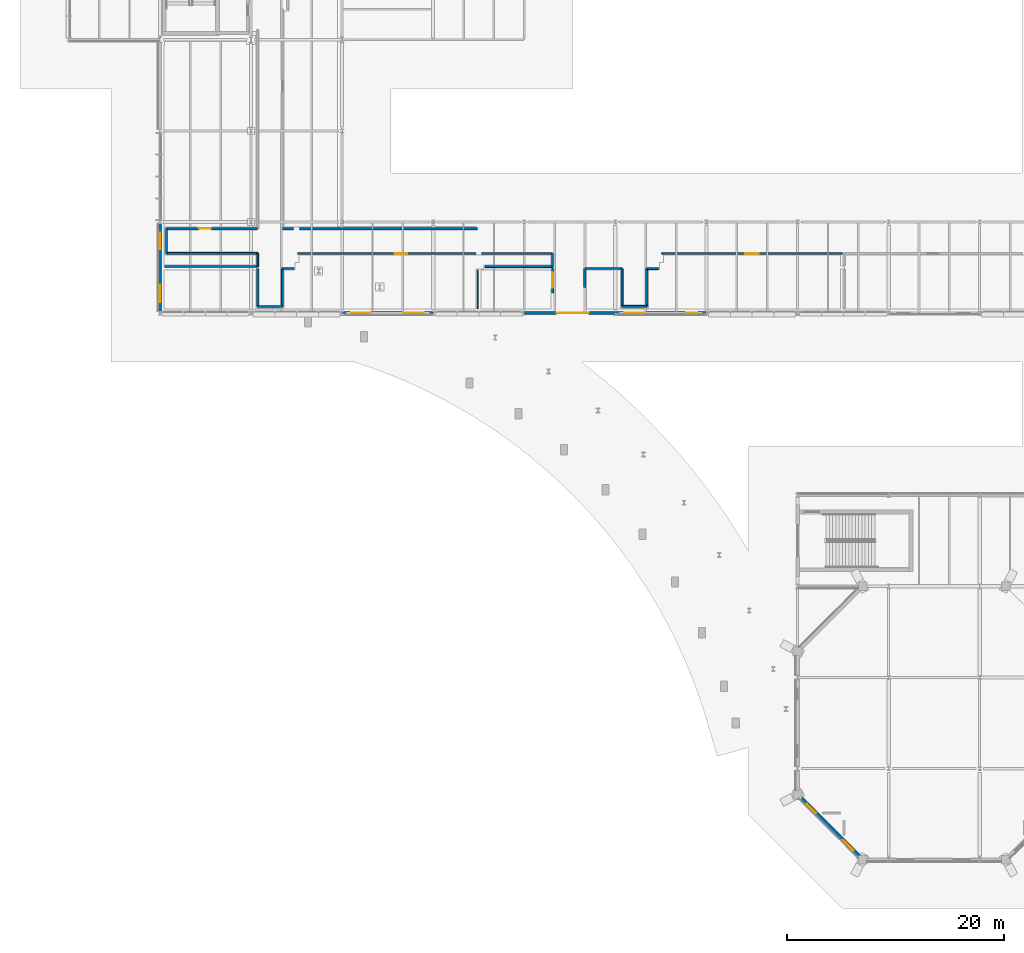
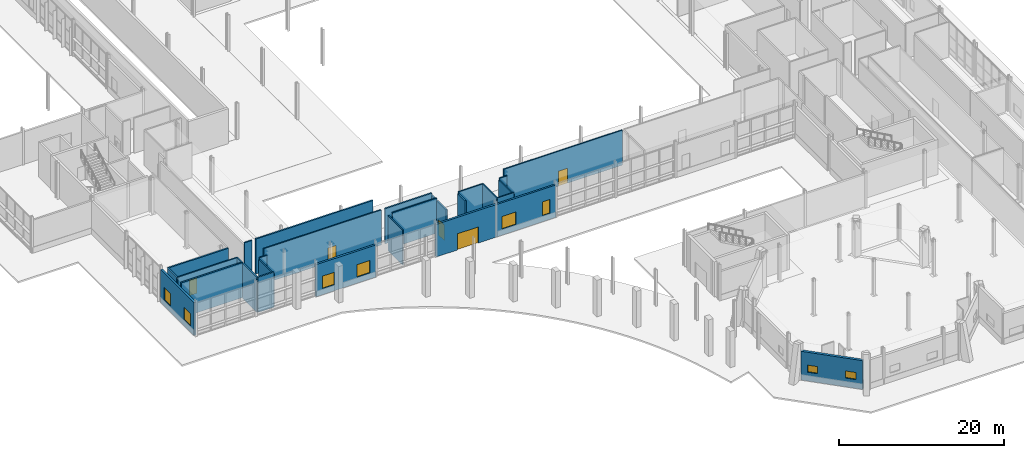
# One storey, part 83 of 124: 29 walls, 8 windows, 5 doors, 13 openings.
"""IFC4 building model written with IfcOpenShell, lengths in metres."""

from ifc_helpers import new_model, si_unit, direction, frame, frame_2d, origin, place, context, subcontext, project, spatial, rectangle, extrude, material, layer, layer_set, type_object, element, fill, save


model = new_model("IFC4")

# Units and contexts
model_context = context("Model", 3, precision=1e-05, world=origin(), true_north=direction((0.0, 1.0)))
body_context = subcontext(model_context, "Body", "Model", "MODEL_VIEW")
ifc_project = project(units=[si_unit("LENGTHUNIT", "METRE"), si_unit("AREAUNIT", "SQUARE_METRE"), si_unit("VOLUMEUNIT", "CUBIC_METRE"), si_unit("PLANEANGLEUNIT", "RADIAN"), si_unit("MASSUNIT", "GRAM", prefix="KILO")], contexts=[model_context])

# Site, building, storey
site_placement = place(None, origin())
site = spatial("IfcSite", under=ifc_project, at=site_placement, CompositionType="ELEMENT")
building_placement = place(site_placement, origin())
building = spatial("IfcBuilding", under=site, at=building_placement, Name="Mersafa Astral City Hall", CompositionType="ELEMENT")
storey_placement = place(building_placement, origin())
storey = spatial("IfcBuildingStorey", under=building, at=storey_placement, Name="L00", CompositionType="ELEMENT", Elevation=0.0)

# Wall, openings, windows
ifc_material_1 = material(Name="Concrete C40/50", Category="concrete")
ifc_layer_1 = layer(ifc_material_1, 0.340087890625, Name="Concrete C40/50")
ifc_layer_set_1 = layer_set([ifc_layer_1], Name="Concrete C40/50 — ENV-WAL-DRUM-340")
wall_type_1 = type_object("IfcWallType", Name="ENV-WAL-DRUM-340", PredefinedType="SHEAR", material=ifc_layer_set_1)
wall_1_placement = place(storey_placement, frame((67.45458984375, 5.745361328125, 0.0), z_axis=(0.0, 0.0, 1.0), x_axis=(0.707106781187, -0.707106781187, 0.0)))
wall_1 = element("IfcWall", 1, at=wall_1_placement, inside=storey, type_object=wall_type_1, Name="L00 Limestone-clad exterior wall 6", PredefinedType="SHEAR", context=body_context, shape_type="SweptSolid", body=[
    extrude(rectangle(XDim=7.76513671875, YDim=0.340087890625, at=frame_2d((3.882568359375, 0.0))), origin(), (0.0, 0.0, 1.0), 4.257080078125),
])
opening_1_placement = place(wall_1_placement, frame((0.85009765625, 0.0, 1.300048828125)))
opening_1 = element("IfcOpeningElement", 2, at=opening_1_placement, cuts=wall_1, Name="Opening W-03", PredefinedType="OPENING", context=body_context, shape_type="SweptSolid", body=[
    extrude(rectangle(XDim=1.219970703125, YDim=1.050048828125, at=frame_2d((0.60986328125, 0.52490234375))), frame((0.0, 0.179931640625, 0.0), z_axis=(0.0, -1.0, 0.0), x_axis=(1.0, 0.0, 0.0)), (0.0, 0.0, 1.0), 0.360107421875),
])
opening_2_placement = place(wall_1_placement, frame((5.59521484375, 0.0, 1.300048828125)))
opening_2 = element("IfcOpeningElement", 3, at=opening_2_placement, cuts=wall_1, Name="Opening W-04", PredefinedType="OPENING", context=body_context, shape_type="SweptSolid", body=[
    extrude(rectangle(XDim=1.320068359375, YDim=1.050048828125, at=frame_2d((0.66015625, 0.52490234375))), frame((0.0, 0.179931640625, 0.0), z_axis=(0.0, -1.0, 0.0), x_axis=(1.0, 0.0, 0.0)), (0.0, 0.0, 1.0), 0.360107421875),
])
ifc_material_2 = material(Name="Solar control low-e double glazing in bronze frame", Category="glass")
window_type_1 = type_object("IfcWindowType", Name="ENV-WIN-W-03", PartitioningType="SINGLE_PANEL", PredefinedType="WINDOW", material=ifc_material_2)
window_1_placement = place(opening_1_placement, origin())
window_1 = element("IfcWindow", 4, at=window_1_placement, inside=storey, type_object=window_type_1, Name="L00 Solar punched window 6-L", OverallHeight=1.050048828125, OverallWidth=1.219970703125, PartitioningType="SINGLE_PANEL", PredefinedType="WINDOW", context=body_context, shape_type="SweptSolid", body=[
    extrude(rectangle(XDim=1.219970703125, YDim=1.050048828125, at=frame_2d((0.60986328125, 0.52490234375))), frame((0.0, 0.030029296875, 0.0), z_axis=(0.0, -1.0, 0.0), x_axis=(1.0, 0.0, 0.0)), (0.0, 0.0, 1.0), 0.06005859375),
])
fill(opening_1, window_1)
window_type_2 = type_object("IfcWindowType", Name="ENV-WIN-W-04", PartitioningType="SINGLE_PANEL", PredefinedType="WINDOW", material=ifc_material_2)
window_2_placement = place(opening_2_placement, origin())
window_2 = element("IfcWindow", 5, at=window_2_placement, inside=storey, type_object=window_type_2, Name="L00 Solar punched window 6-R", OverallHeight=1.050048828125, OverallWidth=1.320068359375, PartitioningType="SINGLE_PANEL", PredefinedType="WINDOW", context=body_context, shape_type="SweptSolid", body=[
    extrude(rectangle(XDim=1.320068359375, YDim=1.050048828125, at=frame_2d((0.66015625, 0.52490234375))), frame((0.0, 0.030029296875, 0.0), z_axis=(0.0, -1.0, 0.0), x_axis=(1.0, 0.0, 0.0)), (0.0, 0.0, 1.0), 0.06005859375),
])
fill(opening_2, window_2)

ifc_material_3 = material(Name="Precast concrete C40/50 insulated terracotta spandrel", Category="masonry")
ifc_layer_2 = layer(ifc_material_3, 0.25, Name="Precast concrete C40/50 insulated terracotta spandrel")
ifc_layer_set_2 = layer_set([ifc_layer_2], Name="Precast concrete C40/50 insulated terracotta spandrel — ENV-WAL-EXT-250")
wall_type_2 = type_object("IfcWallType", Name="ENV-WAL-EXT-250", PredefinedType="STANDARD", material=ifc_layer_set_2)
wall_2_placement = place(storey_placement, frame((50.407958984375, 50.39990234375, 0.0), z_axis=(0.0, 0.0, 1.0), x_axis=(1.0, 0.0, 0.0)))
wall_2 = element("IfcWall", 6, at=wall_2_placement, inside=storey, type_object=wall_type_2, Name="L00 Limestone-clad exterior wall 64", PredefinedType="STANDARD", context=body_context, shape_type="SweptSolid", body=[
    extrude(rectangle(XDim=8.384033203125, YDim=0.25, at=frame_2d((4.19189453125, 0.0))), origin(), (0.0, 0.0, 1.0), 4.797119140625),
])
opening_3_placement = place(wall_2_placement, frame((0.85009765625, 0.0, 0.89990234375)))
opening_3 = element("IfcOpeningElement", 7, at=opening_3_placement, cuts=wall_2, Name="Opening W-50", PredefinedType="OPENING", context=body_context, shape_type="SweptSolid", body=[
    extrude(rectangle(XDim=1.919921875, YDim=1.85009765625, at=frame_2d((0.9599609375, 0.925048828125))), frame((0.0, 0.135009765625, 0.0), z_axis=(0.0, -1.0, 0.0), x_axis=(1.0, 0.0, 0.0)), (0.0, 0.0, 1.0), 0.27001953125),
])
opening_4_placement = place(wall_2_placement, frame((6.513916015625, 0.0, 0.89990234375)))
opening_4 = element("IfcOpeningElement", 8, at=opening_4_placement, cuts=wall_2, Name="Opening W-51", PredefinedType="OPENING", context=body_context, shape_type="SweptSolid", body=[
    extrude(rectangle(XDim=1.02001953125, YDim=2.050048828125, at=frame_2d((0.510009765625, 1.02490234375))), frame((0.0, 0.135009765625, 0.0), z_axis=(0.0, -1.0, 0.0), x_axis=(1.0, 0.0, 0.0)), (0.0, 0.0, 1.0), 0.27001953125),
])
window_type_3 = type_object("IfcWindowType", Name="ENV-WIN-W-50", PartitioningType="SINGLE_PANEL", PredefinedType="WINDOW", material=ifc_material_2)
window_3_placement = place(opening_3_placement, origin())
window_3 = element("IfcWindow", 9, at=window_3_placement, inside=storey, type_object=window_type_3, Name="L00 Solar punched window 64-L", OverallHeight=1.85009765625, OverallWidth=1.919921875, PartitioningType="SINGLE_PANEL", PredefinedType="WINDOW", context=body_context, shape_type="SweptSolid", body=[
    extrude(rectangle(XDim=1.919921875, YDim=1.85009765625, at=frame_2d((0.9599609375, 0.925048828125))), frame((0.0, 0.030029296875, 0.0), z_axis=(0.0, -1.0, 0.0), x_axis=(1.0, 0.0, 0.0)), (0.0, 0.0, 1.0), 0.06005859375),
])
fill(opening_3, window_3)
window_type_4 = type_object("IfcWindowType", Name="ENV-WIN-W-51", PartitioningType="SINGLE_PANEL", PredefinedType="WINDOW", material=ifc_material_2)
window_4_placement = place(opening_4_placement, origin())
window_4 = element("IfcWindow", 10, at=window_4_placement, inside=storey, type_object=window_type_4, Name="L00 Solar punched window 64-R", OverallHeight=2.050048828125, OverallWidth=1.02001953125, PartitioningType="SINGLE_PANEL", PredefinedType="WINDOW", context=body_context, shape_type="SweptSolid", body=[
    extrude(rectangle(XDim=1.02001953125, YDim=2.050048828125, at=frame_2d((0.510009765625, 1.02490234375))), frame((0.0, 0.030029296875, 0.0), z_axis=(0.0, -1.0, 0.0), x_axis=(1.0, 0.0, 0.0)), (0.0, 0.0, 1.0), 0.06005859375),
])
fill(opening_4, window_4)

ifc_material_4 = material(Name="Precast concrete C40/50 insulated limestone wall", Category="masonry")
ifc_layer_3 = layer(ifc_material_4, 0.280029296875, Name="Precast concrete C40/50 insulated limestone wall")
ifc_layer_set_3 = layer_set([ifc_layer_3], Name="Precast concrete C40/50 insulated limestone wall — ENV-WAL-EXT-280")
wall_type_3 = type_object("IfcWallType", Name="ENV-WAL-EXT-280", PredefinedType="STANDARD", material=ifc_layer_set_3)
wall_3_placement = place(storey_placement, frame((25.2080078125, 50.39990234375, 0.0), z_axis=(0.0, 0.0, 1.0), x_axis=(1.0, 0.0, 0.0)))
wall_3 = element("IfcWall", 11, at=wall_3_placement, inside=storey, type_object=wall_type_3, Name="L00 Limestone-clad exterior wall 62", PredefinedType="STANDARD", context=body_context, shape_type="SweptSolid", body=[
    extrude(rectangle(XDim=8.384033203125, YDim=0.280029296875, at=frame_2d((4.19189453125, 0.0))), origin(), (0.0, 0.0, 1.0), 4.751953125),
])
opening_5_placement = place(wall_3_placement, frame((0.85009765625, 0.0, 0.89990234375)))
opening_5 = element("IfcOpeningElement", 12, at=opening_5_placement, cuts=wall_3, Name="Opening W-48", PredefinedType="OPENING", context=body_context, shape_type="SweptSolid", body=[
    extrude(rectangle(XDim=1.719970703125, YDim=1.85009765625, at=frame_2d((0.85986328125, 0.925048828125))), frame((0.0, 0.14990234375, 0.0), z_axis=(0.0, -1.0, 0.0), x_axis=(1.0, 0.0, 0.0)), (0.0, 0.0, 1.0), 0.300048828125),
])
opening_6_placement = place(wall_3_placement, frame((5.714111328125, 0.0, 0.89990234375)))
opening_6 = element("IfcOpeningElement", 13, at=opening_6_placement, cuts=wall_3, Name="Opening W-49", PredefinedType="OPENING", context=body_context, shape_type="SweptSolid", body=[
    extrude(rectangle(XDim=1.820068359375, YDim=1.85009765625, at=frame_2d((0.91015625, 0.925048828125))), frame((0.0, 0.14990234375, 0.0), z_axis=(0.0, -1.0, 0.0), x_axis=(1.0, 0.0, 0.0)), (0.0, 0.0, 1.0), 0.300048828125),
])
window_type_5 = type_object("IfcWindowType", Name="ENV-WIN-W-48", PartitioningType="SINGLE_PANEL", PredefinedType="WINDOW", material=ifc_material_2)
window_5_placement = place(opening_5_placement, origin())
window_5 = element("IfcWindow", 14, at=window_5_placement, inside=storey, type_object=window_type_5, Name="L00 Solar punched window 62-L", OverallHeight=1.85009765625, OverallWidth=1.719970703125, PartitioningType="SINGLE_PANEL", PredefinedType="WINDOW", context=body_context, shape_type="SweptSolid", body=[
    extrude(rectangle(XDim=1.719970703125, YDim=1.85009765625, at=frame_2d((0.85986328125, 0.925048828125))), frame((0.0, 0.030029296875, 0.0), z_axis=(0.0, -1.0, 0.0), x_axis=(1.0, 0.0, 0.0)), (0.0, 0.0, 1.0), 0.06005859375),
])
fill(opening_5, window_5)
window_type_6 = type_object("IfcWindowType", Name="ENV-WIN-W-49", PartitioningType="SINGLE_PANEL", PredefinedType="WINDOW", material=ifc_material_2)
window_6_placement = place(opening_6_placement, origin())
window_6 = element("IfcWindow", 15, at=window_6_placement, inside=storey, type_object=window_type_6, Name="L00 Solar punched window 62-R", OverallHeight=1.85009765625, OverallWidth=1.820068359375, PartitioningType="SINGLE_PANEL", PredefinedType="WINDOW", context=body_context, shape_type="SweptSolid", body=[
    extrude(rectangle(XDim=1.820068359375, YDim=1.85009765625, at=frame_2d((0.91015625, 0.925048828125))), frame((0.0, 0.030029296875, 0.0), z_axis=(0.0, -1.0, 0.0), x_axis=(1.0, 0.0, 0.0)), (0.0, 0.0, 1.0), 0.06005859375),
])
fill(opening_6, window_6)

# Wall, opening, door
wall_4_placement = place(storey_placement, frame((50.39208984375, 50.39990234375, 0.0), z_axis=(0.0, 0.0, 1.0), x_axis=(-1.0, 0.0, 0.0)))
wall_4 = element("IfcWall", 16, at=wall_4_placement, inside=storey, type_object=wall_type_3, Name="L00 Civic Entrance & Exit Portal Wall E11", PredefinedType="STANDARD", context=body_context, shape_type="SweptSolid", body=[
    extrude(rectangle(XDim=8.384033203125, YDim=0.280029296875, at=frame_2d((4.19189453125, 0.0))), origin(), (0.0, 0.0, 1.0), 4.826904296875),
])
opening_7_placement = place(wall_4_placement, frame((2.452392578125, 0.0, 0.0)))
opening_7 = element("IfcOpeningElement", 17, at=opening_7_placement, cuts=wall_4, Name="Opening ED-3", PredefinedType="OPENING", context=body_context, shape_type="SweptSolid", body=[
    extrude(rectangle(XDim=2.949951171875, YDim=2.39990234375, at=frame_2d((1.47509765625, 1.199951171875))), frame((0.0, 0.14990234375, 0.0), z_axis=(0.0, -1.0, 0.0), x_axis=(1.0, 0.0, 0.0)), (0.0, 0.0, 1.0), 0.300048828125),
])
ifc_material_5 = material(Name="Anodised bronze glazed exit door pair", Category="metal")
door_type_1 = type_object("IfcDoorType", Name="ENV-DR-EXIT-2650", OperationType="NOTDEFINED", PredefinedType="DOOR", material=ifc_material_5)
door_1_placement = place(opening_7_placement, origin())
door_1 = element("IfcDoor", 18, at=door_1_placement, inside=storey, type_object=door_type_1, Name="Ground Final Exit Door E11", OperationType="DOUBLE_DOOR_SINGLE_SWING", OverallHeight=2.39990234375, OverallWidth=2.949951171875, PredefinedType="DOOR", context=body_context, shape_type="SweptSolid", body=[
    extrude(rectangle(XDim=2.949951171875, YDim=2.39990234375, at=frame_2d((1.47509765625, 1.199951171875))), frame((0.0, 0.02490234375, 0.0), z_axis=(0.0, -1.0, 0.0), x_axis=(1.0, 0.0, 0.0)), (0.0, 0.0, 1.0), 0.050048828125),
])
fill(opening_7, door_1)

# Wall, openings, windows
ifc_layer_4 = layer(ifc_material_4, 0.294921875, Name="Precast concrete C40/50 insulated limestone wall")
ifc_layer_set_4 = layer_set([ifc_layer_4], Name="Precast concrete C40/50 insulated limestone wall — ENV-WAL-EXT-295")
wall_type_4 = type_object("IfcWallType", Name="ENV-WAL-EXT-295", PredefinedType="STANDARD", material=ifc_layer_set_4)
wall_5_placement = place(storey_placement, frame((8.39990234375, 58.654052734375, 0.0), z_axis=(0.0, 0.0, 1.0), x_axis=(0.0, -1.0, 0.0)))
wall_5 = element("IfcWall", 19, at=wall_5_placement, inside=storey, type_object=wall_type_4, Name="L00 Limestone-clad exterior wall 61", PredefinedType="STANDARD", context=body_context, shape_type="SweptSolid", body=[
    extrude(rectangle(XDim=8.108154296875, YDim=0.294921875, at=frame_2d((4.05419921875, 0.0))), origin(), (0.0, 0.0, 1.0), 4.886962890625),
])
opening_8_placement = place(wall_5_placement, frame((0.85009765625, 0.0, 0.89990234375)))
opening_8 = element("IfcOpeningElement", 20, at=opening_8_placement, cuts=wall_5, Name="Opening W-46", PredefinedType="OPENING", context=body_context, shape_type="SweptSolid", body=[
    extrude(rectangle(XDim=1.52001953125, YDim=1.85009765625, at=frame_2d((0.760009765625, 0.925048828125))), frame((0.0, 0.157470703125, 0.0), z_axis=(0.0, -1.0, 0.0), x_axis=(1.0, 0.0, 0.0)), (0.0, 0.0, 1.0), 0.31494140625),
])
opening_9_placement = place(wall_5_placement, frame((5.637939453125, 0.0, 0.89990234375)))
opening_9 = element("IfcOpeningElement", 21, at=opening_9_placement, cuts=wall_5, Name="Opening W-47", PredefinedType="OPENING", context=body_context, shape_type="SweptSolid", body=[
    extrude(rectangle(XDim=1.6201171875, YDim=1.85009765625, at=frame_2d((0.81005859375, 0.925048828125))), frame((0.0, 0.157470703125, 0.0), z_axis=(0.0, -1.0, 0.0), x_axis=(1.0, 0.0, 0.0)), (0.0, 0.0, 1.0), 0.31494140625),
])
window_type_7 = type_object("IfcWindowType", Name="ENV-WIN-W-46", PartitioningType="SINGLE_PANEL", PredefinedType="WINDOW", material=ifc_material_2)
window_7_placement = place(opening_8_placement, origin())
window_7 = element("IfcWindow", 22, at=window_7_placement, inside=storey, type_object=window_type_7, Name="L00 Solar punched window 61-L", OverallHeight=1.85009765625, OverallWidth=1.52001953125, PartitioningType="SINGLE_PANEL", PredefinedType="WINDOW", context=body_context, shape_type="SweptSolid", body=[
    extrude(rectangle(XDim=1.52001953125, YDim=1.85009765625, at=frame_2d((0.760009765625, 0.925048828125))), frame((0.0, 0.030029296875, 0.0), z_axis=(0.0, -1.0, 0.0), x_axis=(1.0, 0.0, 0.0)), (0.0, 0.0, 1.0), 0.06005859375),
])
fill(opening_8, window_7)
window_type_8 = type_object("IfcWindowType", Name="ENV-WIN-W-47", PartitioningType="SINGLE_PANEL", PredefinedType="WINDOW", material=ifc_material_2)
window_8_placement = place(opening_9_placement, origin())
window_8 = element("IfcWindow", 23, at=window_8_placement, inside=storey, type_object=window_type_8, Name="L00 Solar punched window 61-R", OverallHeight=1.85009765625, OverallWidth=1.6201171875, PartitioningType="SINGLE_PANEL", PredefinedType="WINDOW", context=body_context, shape_type="SweptSolid", body=[
    extrude(rectangle(XDim=1.6201171875, YDim=1.85009765625, at=frame_2d((0.81005859375, 0.925048828125))), frame((0.0, 0.030029296875, 0.0), z_axis=(0.0, -1.0, 0.0), x_axis=(1.0, 0.0, 0.0)), (0.0, 0.0, 1.0), 0.06005859375),
])
fill(opening_9, window_8)

# Walls
ifc_material_6 = material(Name="Acoustic steel-stud gypsum partition", Category="steel")
ifc_layer_5 = layer(ifc_material_6, 0.135009765625, Name="Acoustic steel-stud gypsum partition")
ifc_layer_set_5 = layer_set([ifc_layer_5], Name="Acoustic steel-stud gypsum partition — INT-WAL-PART-EI30-135")
wall_type_5 = type_object("IfcWallType", Name="INT-WAL-PART-EI30-135", PredefinedType="STANDARD", material=ifc_layer_set_5)
wall_6_placement = place(storey_placement, frame((37.7099609375, 54.340087890625, -0.00390625), z_axis=(0.0, 0.0, 1.0), x_axis=(0.0, -1.0, 0.0)))
element("IfcWall", 24, at=wall_6_placement, inside=storey, type_object=wall_type_5, Name="L00 Interior partition wall 223", PredefinedType="STANDARD", context=body_context, shape_type="SweptSolid", body=[
    extrude(rectangle(XDim=3.52001953125, YDim=0.135009765625, at=frame_2d((1.760009765625, 0.0))), origin(), (0.0, 0.0, 1.0), 5.178955078125),
])
ifc_material_7 = material(Name="Fire-rated gypsum stud partition", Category="gypsum")
ifc_layer_6 = layer(ifc_material_7, 0.1650390625, Name="Fire-rated gypsum stud partition")
ifc_layer_set_6 = layer_set([ifc_layer_6], Name="Fire-rated gypsum stud partition — INT-WAL-PART-EI60-165")
wall_type_6 = type_object("IfcWallType", Name="INT-WAL-PART-EI60-165", PredefinedType="STANDARD", material=ifc_layer_set_6)
wall_7_placement = place(storey_placement, frame((17.419921875, 55.89990234375, -0.00390625), z_axis=(0.0, 0.0, 1.0), x_axis=(0.0, -1.0, 0.0)))
element("IfcWall", 25, at=wall_7_placement, inside=storey, type_object=wall_type_6, Name="L00 Interior partition wall 143", PredefinedType="STANDARD", context=body_context, shape_type="SweptSolid", body=[
    extrude(rectangle(XDim=1.2099609375, YDim=0.1650390625, at=frame_2d((0.60498046875, 0.0))), origin(), (0.0, 0.0, 1.0), 5.178955078125),
])

# Wall, opening, door
wall_8_placement = place(storey_placement, frame((21.090087890625, 55.89990234375, -0.00390625), z_axis=(0.0, 0.0, 1.0), x_axis=(1.0, 0.0, 0.0)))
wall_8 = element("IfcWall", 26, at=wall_8_placement, inside=storey, type_object=wall_type_6, Name="L00 Interior partition wall 219", PredefinedType="STANDARD", context=body_context, shape_type="SweptSolid", body=[
    extrude(rectangle(XDim=16.449951171875, YDim=0.1650390625, at=frame_2d((8.22509765625, 0.0))), origin(), (0.0, 0.0, 1.0), 5.178955078125),
])
opening_10_placement = place(wall_8_placement, frame((8.950927734375, 0.0, 0.0)))
opening_10 = element("IfcOpeningElement", 27, at=opening_10_placement, cuts=wall_8, Name="Opening D-14", PredefinedType="OPENING", context=body_context, shape_type="SweptSolid", body=[
    extrude(rectangle(XDim=1.179931640625, YDim=2.139892578125, at=frame_2d((0.58984375, 1.06982421875))), frame((0.0, 0.092529296875, 0.0), z_axis=(0.0, -1.0, 0.0), x_axis=(1.0, 0.0, 0.0)), (0.0, 0.0, 1.0), 0.18505859375),
])
ifc_material_8 = material(Name="Cedar veneered acoustic fire-rated timber door", Category="wood")
door_type_2 = type_object("IfcDoorType", Name="INT-DR-RM-D-14", OperationType="NOTDEFINED", PredefinedType="DOOR", material=ifc_material_8)
door_2_placement = place(opening_10_placement, origin())
door_2 = element("IfcDoor", 28, at=door_2_placement, inside=storey, type_object=door_type_2, Name="L00 Civic Exhibition Gallery L00-24 Entrance Door", OperationType="SINGLE_SWING_RIGHT", OverallHeight=2.139892578125, OverallWidth=1.179931640625, PredefinedType="DOOR", context=body_context, shape_type="SweptSolid", body=[
    extrude(rectangle(XDim=1.179931640625, YDim=2.139892578125, at=frame_2d((0.58984375, 1.06982421875))), frame((0.0, 0.02490234375, 0.0), z_axis=(0.0, -1.0, 0.0), x_axis=(1.0, 0.0, 0.0)), (0.0, 0.0, 1.0), 0.050048828125),
])
fill(opening_10, door_2)

# Wall
wall_9_placement = place(storey_placement, frame((19.699951171875, 54.510009765625, -0.00390625), z_axis=(0.0, 0.0, 1.0), x_axis=(1.0, 0.0, 0.0)))
element("IfcWall", 29, at=wall_9_placement, inside=storey, type_object=wall_type_6, Name="L00 Interior partition wall 227", PredefinedType="STANDARD", context=body_context, shape_type="SweptSolid", body=[
    extrude(rectangle(XDim=1.0400390625, YDim=0.1650390625, at=frame_2d((0.52001953125, 0.0))), origin(), (0.0, 0.0, 1.0), 5.178955078125),
])

# Wall, opening, door
wall_10_placement = place(storey_placement, frame((54.68994140625, 55.89990234375, -0.00390625), z_axis=(0.0, 0.0, 1.0), x_axis=(1.0, 0.0, 0.0)))
wall_10 = element("IfcWall", 30, at=wall_10_placement, inside=storey, type_object=wall_type_6, Name="L00 Interior partition wall 263", PredefinedType="STANDARD", context=body_context, shape_type="SweptSolid", body=[
    extrude(rectangle(XDim=16.6201171875, YDim=0.1650390625, at=frame_2d((8.31005859375, 0.0))), origin(), (0.0, 0.0, 1.0), 5.178955078125),
])
opening_11_placement = place(wall_10_placement, frame((7.669921875, 0.0, 0.0)))
opening_11 = element("IfcOpeningElement", 31, at=opening_11_placement, cuts=wall_10, Name="Opening D-24", PredefinedType="OPENING", context=body_context, shape_type="SweptSolid", body=[
    extrude(rectangle(XDim=1.280029296875, YDim=2.219970703125, at=frame_2d((0.64013671875, 1.10986328125))), frame((0.0, 0.092529296875, 0.0), z_axis=(0.0, -1.0, 0.0), x_axis=(1.0, 0.0, 0.0)), (0.0, 0.0, 1.0), 0.18505859375),
])
door_type_3 = type_object("IfcDoorType", Name="INT-DR-RM-D-24", OperationType="NOTDEFINED", PredefinedType="DOOR", material=ifc_material_8)
door_3_placement = place(opening_11_placement, origin())
door_3 = element("IfcDoor", 32, at=door_3_placement, inside=storey, type_object=door_type_3, Name="L00 Public Cafe L00-34 Entrance Door", OperationType="SINGLE_SWING_RIGHT", OverallHeight=2.219970703125, OverallWidth=1.280029296875, PredefinedType="DOOR", context=body_context, shape_type="SweptSolid", body=[
    extrude(rectangle(XDim=1.280029296875, YDim=2.219970703125, at=frame_2d((0.64013671875, 1.10986328125))), frame((0.0, 0.02490234375, 0.0), z_axis=(0.0, -1.0, 0.0), x_axis=(1.0, 0.0, 0.0)), (0.0, 0.0, 1.0), 0.050048828125),
])
fill(opening_11, door_3)

# Walls
wall_11_placement = place(storey_placement, frame((51.02001953125, 51.02001953125, -0.00390625), z_axis=(0.0, 0.0, 1.0), x_axis=(1.0, 0.0, 0.0)))
element("IfcWall", 33, at=wall_11_placement, inside=storey, type_object=wall_type_6, Name="L00 Interior partition wall 267", PredefinedType="STANDARD", context=body_context, shape_type="SweptSolid", body=[
    extrude(rectangle(XDim=2.280029296875, YDim=0.1650390625, at=frame_2d((1.14013671875, 0.0))), origin(), (0.0, 0.0, 1.0), 5.178955078125),
])
ifc_material_9 = material(Name="Acoustic twin-stud gypsum partition", Category="gypsum")
ifc_layer_7 = layer(ifc_material_9, 0.179931640625, Name="Acoustic twin-stud gypsum partition")
ifc_layer_set_7 = layer_set([ifc_layer_7], Name="Acoustic twin-stud gypsum partition — INT-WAL-PART-EI60-180")
wall_type_7 = type_object("IfcWallType", Name="INT-WAL-PART-EI60-180", PredefinedType="STANDARD", material=ifc_layer_set_7)
wall_12_placement = place(storey_placement, frame((9.02001953125, 55.89990234375, -0.00390625), z_axis=(0.0, 0.0, 1.0), x_axis=(1.0, 0.0, 0.0)))
element("IfcWall", 34, at=wall_12_placement, inside=storey, type_object=wall_type_7, Name="L00 Interior partition wall 142", PredefinedType="STANDARD", context=body_context, shape_type="SweptSolid", body=[
    extrude(rectangle(XDim=8.39990234375, YDim=0.179931640625, at=frame_2d((4.199951171875, 0.0))), origin(), (0.0, 0.0, 1.0), 5.178955078125),
])
wall_13_placement = place(storey_placement, frame((44.6201171875, 54.68994140625, -0.00390625), z_axis=(0.0, 0.0, 1.0), x_axis=(-1.0, 0.0, 0.0)))
element("IfcWall", 35, at=wall_13_placement, inside=storey, type_object=wall_type_7, Name="L00 Interior partition wall 222", PredefinedType="STANDARD", context=body_context, shape_type="SweptSolid", body=[
    extrude(rectangle(XDim=6.210205078125, YDim=0.179931640625, at=frame_2d((3.10498046875, 0.0))), origin(), (0.0, 0.0, 1.0), 5.178955078125),
])
wall_14_placement = place(storey_placement, frame((19.699951171875, 51.02001953125, -0.00390625), z_axis=(0.0, 0.0, 1.0), x_axis=(0.0, 1.0, 0.0)))
element("IfcWall", 36, at=wall_14_placement, inside=storey, type_object=wall_type_7, Name="L00 Interior partition wall 226", PredefinedType="STANDARD", context=body_context, shape_type="SweptSolid", body=[
    extrude(rectangle(XDim=3.489990234375, YDim=0.179931640625, at=frame_2d((1.7451171875, 0.0))), origin(), (0.0, 0.0, 1.0), 4.890869140625),
])
wall_15_placement = place(storey_placement, frame((53.300048828125, 54.510009765625, -0.00390625), z_axis=(0.0, 0.0, 1.0), x_axis=(1.0, 0.0, 0.0)))
element("IfcWall", 37, at=wall_15_placement, inside=storey, type_object=wall_type_7, Name="L00 Interior partition wall 262", PredefinedType="STANDARD", context=body_context, shape_type="SweptSolid", body=[
    extrude(rectangle(XDim=1.0400390625, YDim=0.179931640625, at=frame_2d((0.52001953125, 0.0))), origin(), (0.0, 0.0, 1.0), 5.178955078125),
])
wall_16_placement = place(storey_placement, frame((51.02001953125, 54.510009765625, -0.00390625), z_axis=(0.0, 0.0, 1.0), x_axis=(0.0, -1.0, 0.0)))
element("IfcWall", 38, at=wall_16_placement, inside=storey, type_object=wall_type_7, Name="L00 Interior partition wall 266", PredefinedType="STANDARD", context=body_context, shape_type="SweptSolid", body=[
    extrude(rectangle(XDim=3.489990234375, YDim=0.179931640625, at=frame_2d((1.7451171875, 0.0))), origin(), (0.0, 0.0, 1.0), 5.178955078125),
])
ifc_layer_8 = layer(ifc_material_9, 0.195068359375, Name="Acoustic twin-stud gypsum partition")
ifc_layer_set_8 = layer_set([ifc_layer_8], Name="Acoustic twin-stud gypsum partition — INT-WAL-PART-EI60-195")
wall_type_8 = type_object("IfcWallType", Name="INT-WAL-PART-EI60-195", PredefinedType="STANDARD", material=ifc_layer_set_8)
wall_17_placement = place(storey_placement, frame((9.02001953125, 58.179931640625, -0.00390625), z_axis=(0.0, 0.0, 1.0), x_axis=(0.0, -1.0, 0.0)))
element("IfcWall", 39, at=wall_17_placement, inside=storey, type_object=wall_type_8, Name="L00 Interior partition wall 141", PredefinedType="STANDARD", context=body_context, shape_type="SweptSolid", body=[
    extrude(rectangle(XDim=2.280029296875, YDim=0.195068359375, at=frame_2d((1.14013671875, 0.0))), origin(), (0.0, 0.0, 1.0), 5.178955078125),
])
wall_18_placement = place(storey_placement, frame((20.739990234375, 58.179931640625, -0.00390625), z_axis=(0.0, 0.0, 1.0), x_axis=(-1.0, 0.0, 0.0)))
element("IfcWall", 40, at=wall_18_placement, inside=storey, type_object=wall_type_8, Name="L00 Interior partition wall 177", PredefinedType="STANDARD", context=body_context, shape_type="SweptSolid", body=[
    extrude(rectangle(XDim=1.0400390625, YDim=0.195068359375, at=frame_2d((0.52001953125, 0.0))), origin(), (0.0, 0.0, 1.0), 5.178955078125),
])
wall_19_placement = place(storey_placement, frame((44.6201171875, 55.89990234375, -0.00390625), z_axis=(0.0, 0.0, 1.0), x_axis=(0.0, -1.0, 0.0)))
element("IfcWall", 41, at=wall_19_placement, inside=storey, type_object=wall_type_8, Name="L00 Interior partition wall 221", PredefinedType="STANDARD", context=body_context, shape_type="SweptSolid", body=[
    extrude(rectangle(XDim=1.2099609375, YDim=0.195068359375, at=frame_2d((0.60498046875, 0.0))), origin(), (0.0, 0.0, 1.0), 4.890869140625),
])
wall_20_placement = place(storey_placement, frame((17.419921875, 51.02001953125, -0.00390625), z_axis=(0.0, 0.0, 1.0), x_axis=(1.0, 0.0, 0.0)))
element("IfcWall", 42, at=wall_20_placement, inside=storey, type_object=wall_type_8, Name="L00 Interior partition wall 225", PredefinedType="STANDARD", context=body_context, shape_type="SweptSolid", body=[
    extrude(rectangle(XDim=2.280029296875, YDim=0.195068359375, at=frame_2d((1.14013671875, 0.0))), origin(), (0.0, 0.0, 1.0), 5.178955078125),
])
wall_21_placement = place(storey_placement, frame((53.300048828125, 51.02001953125, -0.00390625), z_axis=(0.0, 0.0, 1.0), x_axis=(0.0, 1.0, 0.0)))
element("IfcWall", 43, at=wall_21_placement, inside=storey, type_object=wall_type_8, Name="L00 Interior partition wall 261", PredefinedType="STANDARD", context=body_context, shape_type="SweptSolid", body=[
    extrude(rectangle(XDim=3.489990234375, YDim=0.195068359375, at=frame_2d((1.7451171875, 0.0))), origin(), (0.0, 0.0, 1.0), 4.9208984375),
])
wall_22_placement = place(storey_placement, frame((47.580078125, 54.510009765625, -0.00390625), z_axis=(0.0, 0.0, 1.0), x_axis=(1.0, 0.0, 0.0)))
element("IfcWall", 44, at=wall_22_placement, inside=storey, type_object=wall_type_8, Name="L00 Interior partition wall 265", PredefinedType="STANDARD", context=body_context, shape_type="SweptSolid", body=[
    extrude(rectangle(XDim=3.43994140625, YDim=0.195068359375, at=frame_2d((1.719970703125, 0.0))), origin(), (0.0, 0.0, 1.0), 5.178955078125),
])

# Wall, opening, door
ifc_material_10 = material(Name="Autoclaved aerated concrete blockwork plastered", Category="masonry")
ifc_layer_9 = layer(ifc_material_10, 0.2099609375, Name="Autoclaved aerated concrete blockwork plastered")
ifc_layer_set_9 = layer_set([ifc_layer_9], Name="Autoclaved aerated concrete blockwork plastered — INT-WAL-PART-EI60-210")
wall_type_9 = type_object("IfcWallType", Name="INT-WAL-PART-EI60-210", PredefinedType="STANDARD", material=ifc_layer_set_9)
wall_23_placement = place(storey_placement, frame((17.419921875, 58.179931640625, -0.00390625), z_axis=(0.0, 0.0, 1.0), x_axis=(-1.0, 0.0, 0.0)))
wall_23 = element("IfcWall", 45, at=wall_23_placement, inside=storey, type_object=wall_type_9, Name="L00 Interior partition wall 140", PredefinedType="STANDARD", context=body_context, shape_type="SweptSolid", body=[
    extrude(rectangle(XDim=8.39990234375, YDim=0.2099609375, at=frame_2d((4.199951171875, 0.0))), origin(), (0.0, 0.0, 1.0), 5.178955078125),
])
opening_12_placement = place(wall_23_placement, frame((4.322021484375, 0.0, 0.0)))
opening_12 = element("IfcOpeningElement", 46, at=opening_12_placement, cuts=wall_23, Name="Opening D-31", PredefinedType="OPENING", context=body_context, shape_type="SweptSolid", body=[
    extrude(rectangle(XDim=1.10009765625, YDim=2.300048828125, at=frame_2d((0.550048828125, 1.14990234375))), frame((0.0, 0.114990234375, 0.0), z_axis=(0.0, -1.0, 0.0), x_axis=(1.0, 0.0, 0.0)), (0.0, 0.0, 1.0), 0.22998046875),
])
door_type_4 = type_object("IfcDoorType", Name="INT-DR-RM-D-31", OperationType="NOTDEFINED", PredefinedType="DOOR", material=ifc_material_8)
door_4_placement = place(opening_12_placement, origin())
door_4 = element("IfcDoor", 47, at=door_4_placement, inside=storey, type_object=door_type_4, Name="L00 Civic Exhibition Gallery L00-05 Entrance Door", OperationType="SINGLE_SWING_LEFT", OverallHeight=2.300048828125, OverallWidth=1.10009765625, PredefinedType="DOOR", context=body_context, shape_type="SweptSolid", body=[
    extrude(rectangle(XDim=1.10009765625, YDim=2.300048828125, at=frame_2d((0.550048828125, 1.14990234375))), frame((0.0, 0.02490234375, 0.0), z_axis=(0.0, -1.0, 0.0), x_axis=(1.0, 0.0, 0.0)), (0.0, 0.0, 1.0), 0.050048828125),
])
fill(opening_12, door_4)

# Walls
wall_24_placement = place(storey_placement, frame((17.419921875, 54.68994140625, -0.00390625), z_axis=(0.0, 0.0, 1.0), x_axis=(-1.0, 0.0, 0.0)))
element("IfcWall", 48, at=wall_24_placement, inside=storey, type_object=wall_type_9, Name="L00 Interior partition wall 144", PredefinedType="STANDARD", context=body_context, shape_type="SweptSolid", body=[
    extrude(rectangle(XDim=8.599853515625, YDim=0.2099609375, at=frame_2d((4.2998046875, 0.0))), origin(), (0.0, 0.0, 1.0), 5.178955078125),
])
wall_25_placement = place(storey_placement, frame((37.7099609375, 58.179931640625, -0.00390625), z_axis=(0.0, 0.0, 1.0), x_axis=(-1.0, 0.0, 0.0)))
element("IfcWall", 49, at=wall_25_placement, inside=storey, type_object=wall_type_9, Name="L00 Interior partition wall 176", PredefinedType="STANDARD", context=body_context, shape_type="SweptSolid", body=[
    extrude(rectangle(XDim=16.449951171875, YDim=0.2099609375, at=frame_2d((8.22509765625, 0.0))), origin(), (0.0, 0.0, 1.0), 5.178955078125),
])
wall_26_placement = place(storey_placement, frame((38.06005859375, 55.89990234375, -0.00390625), z_axis=(0.0, 0.0, 1.0), x_axis=(1.0, 0.0, 0.0)))
element("IfcWall", 50, at=wall_26_placement, inside=storey, type_object=wall_type_9, Name="L00 Interior partition wall 220", PredefinedType="STANDARD", context=body_context, shape_type="SweptSolid", body=[
    extrude(rectangle(XDim=6.56005859375, YDim=0.2099609375, at=frame_2d((3.280029296875, 0.0))), origin(), (0.0, 0.0, 1.0), 5.178955078125),
])
wall_27_placement = place(storey_placement, frame((17.419921875, 54.510009765625, -0.00390625), z_axis=(0.0, 0.0, 1.0), x_axis=(0.0, -1.0, 0.0)))
element("IfcWall", 51, at=wall_27_placement, inside=storey, type_object=wall_type_9, Name="L00 Interior partition wall 224", PredefinedType="STANDARD", context=body_context, shape_type="SweptSolid", body=[
    extrude(rectangle(XDim=3.489990234375, YDim=0.2099609375, at=frame_2d((1.7451171875, 0.0))), origin(), (0.0, 0.0, 1.0), 5.178955078125),
])

# Wall, opening, door
wall_28_placement = place(storey_placement, frame((44.6201171875, 54.510009765625, -0.00390625), z_axis=(0.0, 0.0, 1.0), x_axis=(0.0, -1.0, 0.0)))
wall_28 = element("IfcWall", 52, at=wall_28_placement, inside=storey, type_object=wall_type_9, Name="L00 Interior partition wall 248", PredefinedType="STANDARD", context=body_context, shape_type="SweptSolid", body=[
    extrude(rectangle(XDim=2.243408203125, YDim=0.2099609375, at=frame_2d((1.12158203125, 0.0))), origin(), (0.0, 0.0, 1.0), 4.890869140625),
])
opening_13_placement = place(wall_28_placement, frame((0.360107421875, 0.0, 0.0)))
opening_13 = element("IfcOpeningElement", 53, at=opening_13_placement, cuts=wall_28, Name="Opening D-34", PredefinedType="OPENING", context=body_context, shape_type="SweptSolid", body=[
    extrude(rectangle(XDim=1.39990234375, YDim=2.300048828125, at=frame_2d((0.699951171875, 1.14990234375))), frame((0.0, 0.114990234375, 0.0), z_axis=(0.0, -1.0, 0.0), x_axis=(1.0, 0.0, 0.0)), (0.0, 0.0, 1.0), 0.22998046875),
])
door_type_5 = type_object("IfcDoorType", Name="INT-DR-RM-D-34", OperationType="NOTDEFINED", PredefinedType="DOOR", material=ifc_material_8)
door_5_placement = place(opening_13_placement, origin())
door_5 = element("IfcDoor", 54, at=door_5_placement, inside=storey, type_object=door_type_5, Name="L00 Citizens Service Centre L00-30 Entrance Door", OperationType="SINGLE_SWING_RIGHT", OverallHeight=2.300048828125, OverallWidth=1.39990234375, PredefinedType="DOOR", context=body_context, shape_type="SweptSolid", body=[
    extrude(rectangle(XDim=1.39990234375, YDim=2.300048828125, at=frame_2d((0.699951171875, 1.14990234375))), frame((0.0, 0.02490234375, 0.0), z_axis=(0.0, -1.0, 0.0), x_axis=(1.0, 0.0, 0.0)), (0.0, 0.0, 1.0), 0.050048828125),
])
fill(opening_13, door_5)

# Wall
wall_29_placement = place(storey_placement, frame((47.580078125, 52.772705078125, -0.00390625), z_axis=(0.0, 0.0, 1.0), x_axis=(0.0, 1.0, 0.0)))
element("IfcWall", 55, at=wall_29_placement, inside=storey, type_object=wall_type_9, Name="L00 Interior partition wall 264", PredefinedType="STANDARD", context=body_context, shape_type="SweptSolid", body=[
    extrude(rectangle(XDim=1.7373046875, YDim=0.2099609375, at=frame_2d((0.86865234375, 0.0))), origin(), (0.0, 0.0, 1.0), 4.890869140625),
])

save(model, "model.ifc")
